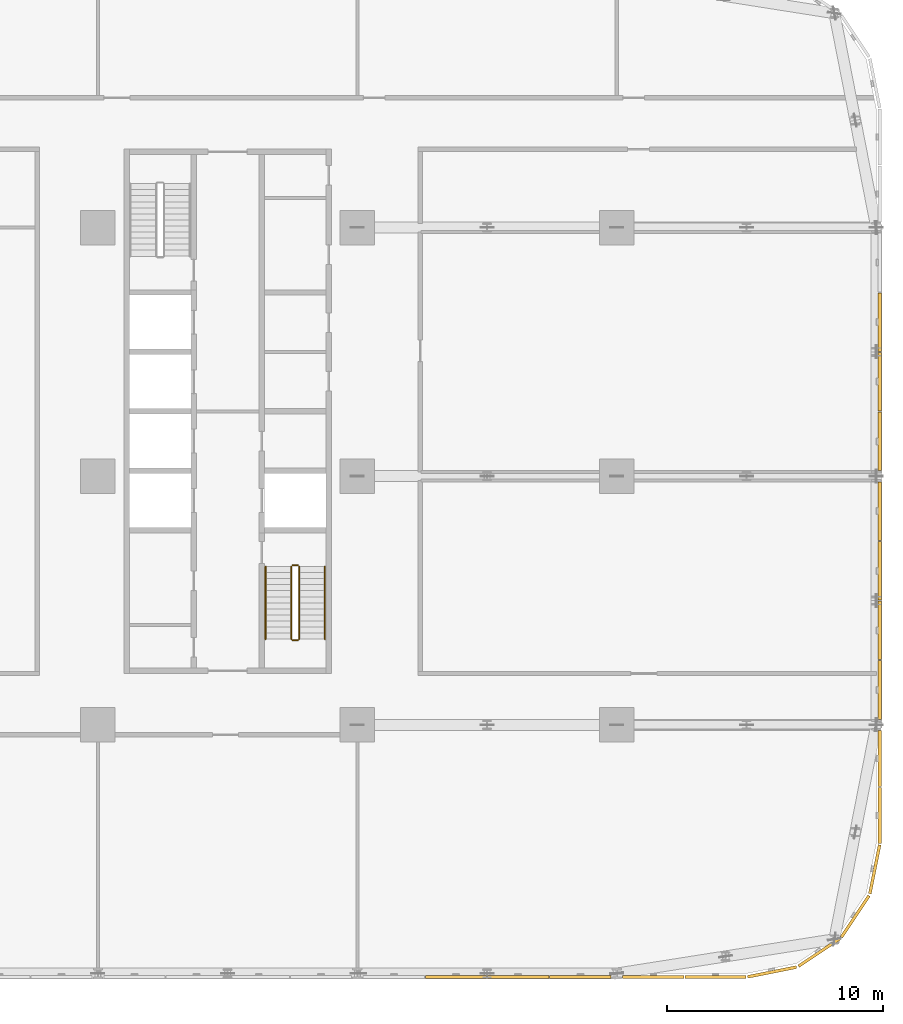
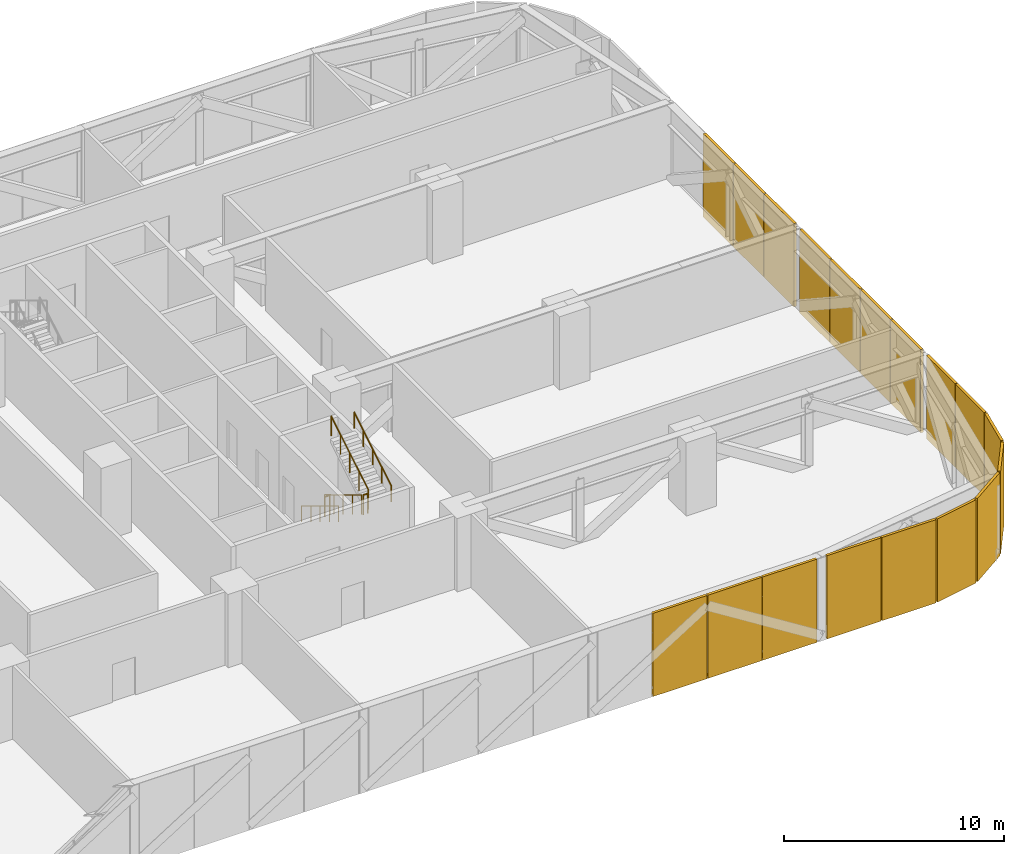
# One storey, part 24 of 25: 18 coverings, 6 railings.
"""IFC4 building model written with IfcOpenShell, lengths in metres."""

from ifc_helpers import new_model, si_unit, direction, frame, origin, origin_2d, place, context, subcontext, project, spatial, rectangle, circle, extrude, material, type_object, element, save


model = new_model("IFC4")

# Units and contexts
model_context = context("Model", 3, precision=1e-05, world=origin(), true_north=direction((0.0, 1.0)))
body_context = subcontext(model_context, "Body", "Model", "MODEL_VIEW")
ifc_project = project(units=[si_unit("LENGTHUNIT", "METRE"), si_unit("AREAUNIT", "SQUARE_METRE"), si_unit("VOLUMEUNIT", "CUBIC_METRE"), si_unit("PLANEANGLEUNIT", "RADIAN"), si_unit("MASSUNIT", "GRAM", prefix="KILO")], contexts=[model_context])

# Site, building, storey
site_placement = place(None, origin())
site = spatial("IfcSite", under=ifc_project, at=site_placement, CompositionType="ELEMENT")
building_placement = place(site_placement, origin())
building = spatial("IfcBuilding", under=site, at=building_placement, Name="Mahtab Terrace Research Tower", CompositionType="ELEMENT")
storey_placement = place(building_placement, frame((0.0, 0.0, 41.60009765625)))
storey = spatial("IfcBuildingStorey", under=building, at=storey_placement, Name="L09", CompositionType="ELEMENT", Elevation=41.60009765625)

# Coverings
ifc_material_1 = material(Name="Natural anodised aluminium", Category="aluminium")
covering_type = type_object("IfcCoveringType", Name="Plant storey louvre bay", PredefinedType="CLADDING", material=ifc_material_1)
for number, where, z_axis, x_axis, name in (
    (1, (43.686767578125, -23.159912109375, -0.55029296875), (0.0, 0.0, 1.0), (1.0, 0.0, 0.0), "Louvre bay L09 1"),
    (2, (46.562255859375, -23.159912109375, -0.55029296875), (0.0, 0.0, 1.0), (1.0, 0.0, 0.0), "Louvre bay L09 2"),
):
    element("IfcCovering", number, at=place(storey_placement, frame(where, z_axis=z_axis, x_axis=x_axis)), inside=storey, type_object=covering_type, Name=name, PredefinedType="CLADDING", context=body_context, shape_type="SweptSolid", body=[
        extrude(rectangle(XDim=2.83544921875, YDim=0.139892578125, at=origin_2d()), origin(), (0.0, 0.0, 1.0), 4.610107421875),
    ])
for number, where, z_axis, x_axis, name in (
    (3, (49.17919921875, -22.928466796875, -0.55029296875), (0.0, 0.0, 1.0), (0.980760981187, 0.195212442692, 0.0), "Louvre bay L09 3"),
    (4, (51.3583984375, -22.026123046875, -0.55029296875), (0.0, 0.0, 1.0), (0.831655794326, 0.555291490808, 0.0), "Louvre bay L09 4"),
    (5, (53.026123046875, -20.3583984375, -0.55029296875), (0.0, 0.0, 1.0), (0.555291490808, 0.831655794326, 0.0), "Louvre bay L09 5"),
    (6, (53.928466796875, -18.17919921875, -0.55029296875), (0.0, 0.0, 1.0), (0.195212442692, 0.980760981187, 0.0), "Louvre bay L09 6"),
):
    element("IfcCovering", number, at=place(storey_placement, frame(where, z_axis=z_axis, x_axis=x_axis)), inside=storey, type_object=covering_type, Name=name, PredefinedType="CLADDING", context=body_context, shape_type="SweptSolid", body=[
        extrude(rectangle(XDim=2.301025390625, YDim=0.139892578125, at=origin_2d()), origin(), (0.0, 0.0, 1.0), 4.610107421875),
    ])
for number, where, z_axis, x_axis, name in (
    (7, (54.159912109375, -15.6845703125, -0.55029296875), (0.0, 0.0, 1.0), (0.0, 1.0, 0.0), "Louvre bay L09 7"),
    (8, (54.159912109375, -13.053466796875, -0.55029296875), (0.0, 0.0, 1.0), (0.0, 1.0, 0.0), "Louvre bay L09 8"),
):
    element("IfcCovering", number, at=place(storey_placement, frame(where, z_axis=z_axis, x_axis=x_axis)), inside=storey, type_object=covering_type, Name=name, PredefinedType="CLADDING", context=body_context, shape_type="SweptSolid", body=[
        extrude(rectangle(XDim=2.591064453125, YDim=0.139892578125, at=origin_2d()), origin(), (0.0, 0.0, 1.0), 4.610107421875),
    ])
for number, where, z_axis, x_axis, name in (
    (9, (54.159912109375, -9.884033203125, -0.55029296875), (0.0, 0.0, 1.0), (0.0, 1.0, 0.0), "Louvre bay L09 9"),
    (10, (54.159912109375, -7.1279296875, -0.55029296875), (0.0, 0.0, 1.0), (0.0, 1.0, 0.0), "Louvre bay L09 10"),
    (11, (54.159912109375, -4.3720703125, -0.55029296875), (0.0, 0.0, 1.0), (0.0, 1.0, 0.0), "Louvre bay L09 11"),
    (12, (54.159912109375, -1.615966796875, -0.55029296875), (0.0, 0.0, 1.0), (0.0, 1.0, 0.0), "Louvre bay L09 12"),
    (13, (54.159912109375, 1.615966796875, -0.55029296875), (0.0, 0.0, 1.0), (0.0, 1.0, 0.0), "Louvre bay L09 13"),
    (14, (54.159912109375, 4.3720703125, -0.55029296875), (0.0, 0.0, 1.0), (0.0, 1.0, 0.0), "Louvre bay L09 14"),
    (15, (54.159912109375, 7.1279296875, -0.55029296875), (0.0, 0.0, 1.0), (0.0, 1.0, 0.0), "Louvre bay L09 15"),
):
    element("IfcCovering", number, at=place(storey_placement, frame(where, z_axis=z_axis, x_axis=x_axis)), inside=storey, type_object=covering_type, Name=name, PredefinedType="CLADDING", context=body_context, shape_type="SweptSolid", body=[
        extrude(rectangle(XDim=2.716064453125, YDim=0.139892578125, at=origin_2d()), origin(), (0.0, 0.0, 1.0), 4.610107421875),
    ])
for number, where, z_axis, x_axis, name in (
    (16, (34.562255859375, -23.159912109375, -0.55029296875), (0.0, 0.0, 1.0), (1.0, 0.0, 0.0), "Louvre bay L09 97"),
    (17, (37.437744140625, -23.159912109375, -0.55029296875), (0.0, 0.0, 1.0), (1.0, 0.0, 0.0), "Louvre bay L09 98"),
    (18, (40.313232421875, -23.159912109375, -0.55029296875), (0.0, 0.0, 1.0), (1.0, 0.0, 0.0), "Louvre bay L09 99"),
):
    element("IfcCovering", number, at=place(storey_placement, frame(where, z_axis=z_axis, x_axis=x_axis)), inside=storey, type_object=covering_type, Name=name, PredefinedType="CLADDING", context=body_context, shape_type="SweptSolid", body=[
        extrude(rectangle(XDim=2.83544921875, YDim=0.139892578125, at=origin_2d()), origin(), (0.0, 0.0, 1.0), 4.610107421875),
    ])

# Railings
ifc_material_2 = material(Name="Stainless steel AISI 304", Category="steel")
railing_type_1 = type_object("IfcRailingType", Name="Stair guard 1100", PredefinedType="GUARDRAIL", material=ifc_material_2)
railing_1_placement = place(storey_placement, frame((26.949951171875, -4.175048828125, 0.169189453125)))
element("IfcRailing", 19, at=railing_1_placement, inside=storey, type_object=railing_type_1, Name="L09 ST4 stair guard 1", PredefinedType="GUARDRAIL", context=body_context, shape_type="SweptSolid", body=[
    extrude(circle(Radius=0.02392578125, at=origin_2d()), frame((0.0, 0.0, 1.076171875), z_axis=(0.0, -0.855820338506, 0.51727318527), x_axis=(1.0, 0.0, 0.0)), (0.0, 0.0, 1.0), 3.92578125),
    extrude(circle(Radius=0.02099609375, at=origin_2d()), origin(), (0.0, 0.0, 1.0), 1.052001953125),
    extrude(circle(Radius=0.02099609375, at=origin_2d()), frame((0.0, -0.83984375, 0.5078125)), (0.0, 0.0, 1.0), 1.052001953125),
    extrude(circle(Radius=0.02099609375, at=origin_2d()), frame((0.0, -1.679931640625, 1.015380859375)), (0.0, 0.0, 1.0), 1.052001953125),
    extrude(circle(Radius=0.02099609375, at=origin_2d()), frame((0.0, -2.52001953125, 1.52294921875)), (0.0, 0.0, 1.0), 1.052001953125),
    extrude(circle(Radius=0.02099609375, at=origin_2d()), frame((0.0, -3.35986328125, 2.03076171875)), (0.0, 0.0, 1.0), 1.052001953125),
])
railing_2_placement = place(storey_placement, frame((27.0, -7.5849609375, 2.199951171875)))
element("IfcRailing", 20, at=railing_2_placement, inside=storey, type_object=railing_type_1, Name="L09 ST4 stair guard 2", PredefinedType="GUARDRAIL", context=body_context, shape_type="SweptSolid", body=[
    extrude(circle(Radius=0.02392578125, at=origin_2d()), frame((0.0, 0.0, 1.076171875), z_axis=(1.0, 0.0, 0.0), x_axis=(0.0, 1.0, 0.0)), (0.0, 0.0, 1.0), 0.25),
    extrude(circle(Radius=0.02099609375, at=origin_2d()), origin(), (0.0, 0.0, 1.0), 1.052001953125),
    extrude(circle(Radius=0.02099609375, at=origin_2d()), frame((0.25, 0.0, 0.0)), (0.0, 0.0, 1.0), 1.052001953125),
])
railing_3_placement = place(storey_placement, frame((27.300048828125, -7.534912109375, 2.369140625)))
element("IfcRailing", 21, at=railing_3_placement, inside=storey, type_object=railing_type_1, Name="L09 ST4 stair guard 3", PredefinedType="GUARDRAIL", context=body_context, shape_type="SweptSolid", body=[
    extrude(circle(Radius=0.02392578125, at=origin_2d()), frame((0.0, 0.0, 1.076171875), z_axis=(0.0, 0.855820338506, 0.51727318527), x_axis=(-1.0, 0.0, 0.0)), (0.0, 0.0, 1.0), 3.92578125),
    extrude(circle(Radius=0.02099609375, at=origin_2d()), origin(), (0.0, 0.0, 1.0), 1.052001953125),
    extrude(circle(Radius=0.02099609375, at=origin_2d()), frame((0.0, 0.83984375, 0.5078125)), (0.0, 0.0, 1.0), 1.052001953125),
    extrude(circle(Radius=0.02099609375, at=origin_2d()), frame((0.0, 1.679931640625, 1.015380859375)), (0.0, 0.0, 1.0), 1.052001953125),
    extrude(circle(Radius=0.02099609375, at=origin_2d()), frame((0.0, 2.52001953125, 1.52294921875)), (0.0, 0.0, 1.0), 1.052001953125),
    extrude(circle(Radius=0.02099609375, at=origin_2d()), frame((0.0, 3.35986328125, 2.03076171875)), (0.0, 0.0, 1.0), 1.052001953125),
])
railing_4_placement = place(storey_placement, frame((27.0, -4.125, 0.0)))
element("IfcRailing", 22, at=railing_4_placement, inside=storey, type_object=railing_type_1, Name="L09 ST4 stair guard 4", PredefinedType="GUARDRAIL", context=body_context, shape_type="SweptSolid", body=[
    extrude(circle(Radius=0.02392578125, at=origin_2d()), frame((0.0, 0.0, 1.076171875), z_axis=(1.0, 0.0, 0.0), x_axis=(0.0, 1.0, 0.0)), (0.0, 0.0, 1.0), 0.25),
    extrude(circle(Radius=0.02099609375, at=origin_2d()), origin(), (0.0, 0.0, 1.0), 1.052001953125),
    extrude(circle(Radius=0.02099609375, at=origin_2d()), frame((0.25, 0.0, 0.0)), (0.0, 0.0, 1.0), 1.052001953125),
])
railing_type_2 = type_object("IfcRailingType", Name="Stair handrail 900", PredefinedType="HANDRAIL", material=ifc_material_2)
railing_5_placement = place(storey_placement, frame((25.75, -4.175048828125, 0.169189453125)))
element("IfcRailing", 23, at=railing_5_placement, inside=storey, type_object=railing_type_2, Name="L09 ST4 stair handrail 1", PredefinedType="HANDRAIL", context=body_context, shape_type="SweptSolid", body=[
    extrude(circle(Radius=0.02392578125, at=origin_2d()), frame((0.0, 0.0, 0.8759765625), z_axis=(0.0, -0.855820338506, 0.51727318527), x_axis=(1.0, 0.0, 0.0)), (0.0, 0.0, 1.0), 3.92578125),
    extrude(circle(Radius=0.02099609375, at=origin_2d()), origin(), (0.0, 0.0, 1.0), 0.851806640625),
    extrude(circle(Radius=0.02099609375, at=origin_2d()), frame((0.0, -0.83984375, 0.5078125)), (0.0, 0.0, 1.0), 0.851806640625),
    extrude(circle(Radius=0.02099609375, at=origin_2d()), frame((0.0, -1.679931640625, 1.015380859375)), (0.0, 0.0, 1.0), 0.851806640625),
    extrude(circle(Radius=0.02099609375, at=origin_2d()), frame((0.0, -2.52001953125, 1.52294921875)), (0.0, 0.0, 1.0), 0.851806640625),
    extrude(circle(Radius=0.02099609375, at=origin_2d()), frame((0.0, -3.35986328125, 2.03076171875)), (0.0, 0.0, 1.0), 0.851806640625),
])
railing_6_placement = place(storey_placement, frame((28.5, -7.534912109375, 2.369140625)))
element("IfcRailing", 24, at=railing_6_placement, inside=storey, type_object=railing_type_2, Name="L09 ST4 stair handrail 2", PredefinedType="HANDRAIL", context=body_context, shape_type="SweptSolid", body=[
    extrude(circle(Radius=0.02392578125, at=origin_2d()), frame((0.0, 0.0, 0.8759765625), z_axis=(0.0, 0.855820338506, 0.51727318527), x_axis=(-1.0, 0.0, 0.0)), (0.0, 0.0, 1.0), 3.92578125),
    extrude(circle(Radius=0.02099609375, at=origin_2d()), origin(), (0.0, 0.0, 1.0), 0.851806640625),
    extrude(circle(Radius=0.02099609375, at=origin_2d()), frame((0.0, 0.83984375, 0.5078125)), (0.0, 0.0, 1.0), 0.851806640625),
    extrude(circle(Radius=0.02099609375, at=origin_2d()), frame((0.0, 1.679931640625, 1.015380859375)), (0.0, 0.0, 1.0), 0.851806640625),
    extrude(circle(Radius=0.02099609375, at=origin_2d()), frame((0.0, 2.52001953125, 1.52294921875)), (0.0, 0.0, 1.0), 0.851806640625),
    extrude(circle(Radius=0.02099609375, at=origin_2d()), frame((0.0, 3.35986328125, 2.03076171875)), (0.0, 0.0, 1.0), 0.851806640625),
])

save(model, "model.ifc")
